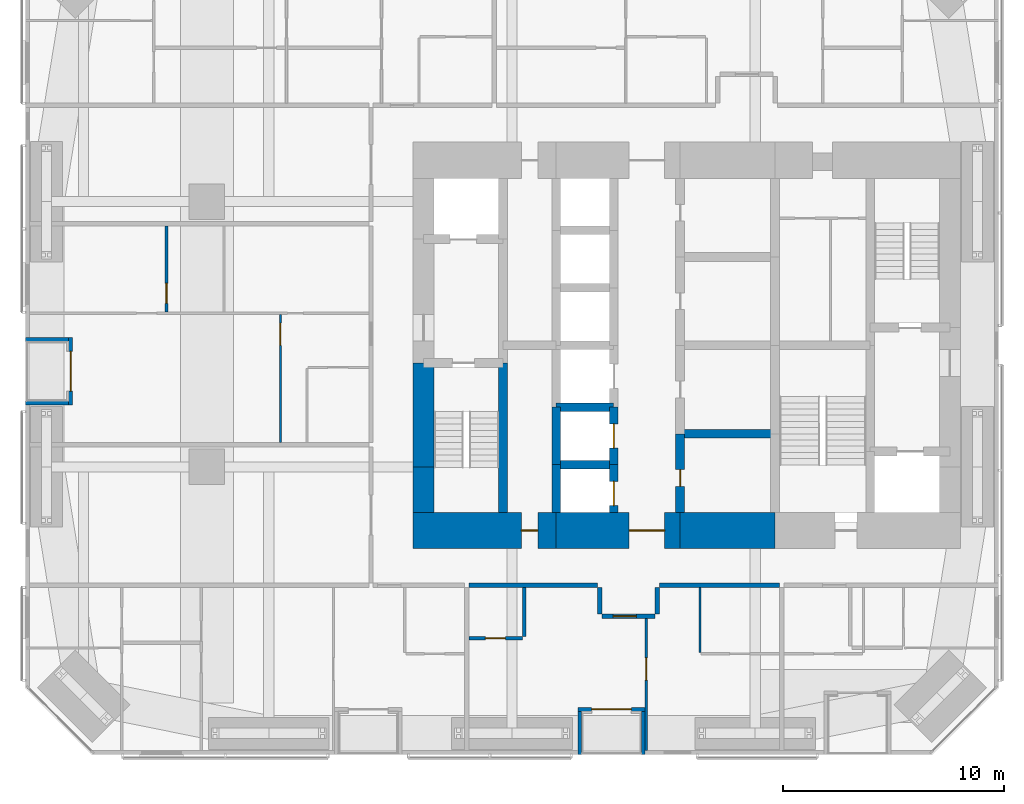
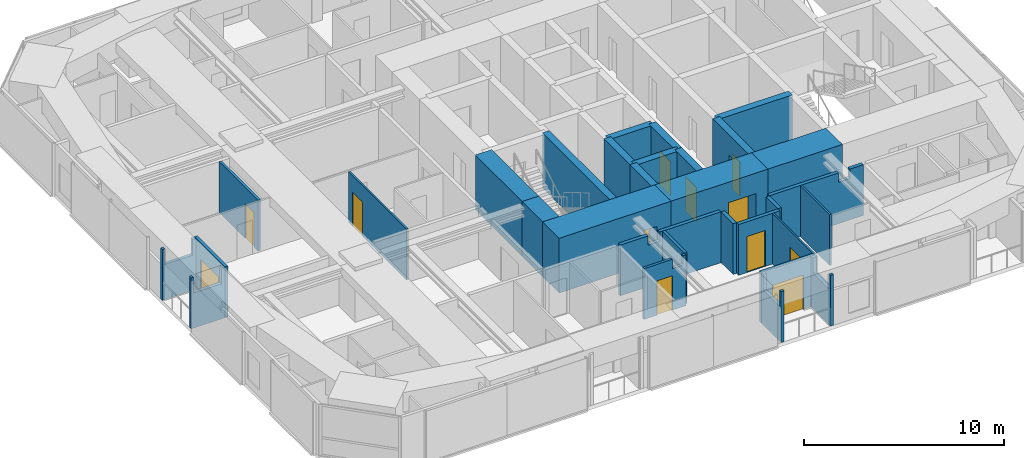
# One storey, part 17 of 23: 31 walls, 12 doors, 12 openings.
"""IFC4 building model written with IfcOpenShell, lengths in metres."""

import ifcopenshell
import ifcopenshell.guid

model = None  # the IFC model being written
_history = None  # IfcOwnerHistory: only IFC2X3 demands one
_inside = {}  # id of a spatial element -> (the spatial element, [elements in it])
_under = {}  # id of a project, library or spatial element -> (it, [spatial elements below it])
_declared = {}  # id of a project -> (the project, [libraries it declares])
_typed = {}  # id of a type object -> (the type object, [elements of that type])
_made_of = {}  # id of a material, layer set ... -> (it, [elements and type objects made of it])


def new_model(schema):
    """Start an empty IFC model of exactly this schema.

    Asked for "IFC4X3", IfcOpenShell would pick the latest addendum, in which some entities
    have other attributes; the version numbers below select the first issue.
    IFC2X3 requires an IfcOwnerHistory on every rooted entity: one is made here for all.
    """
    global model, _history
    if schema == "IFC4X3":
        model = ifcopenshell.file(schema_version=(4, 3, 0, 0))
    else:
        model = ifcopenshell.file(schema=schema)
    _inside.clear()
    _under.clear()
    _declared.clear()
    _typed.clear()
    _made_of.clear()
    _history = None
    if model.schema == "IFC2X3":
        org = make("IfcOrganization", Name="unknown")
        user = make(
            "IfcPersonAndOrganization",
            ThePerson=make("IfcPerson", FamilyName="unknown"),
            TheOrganization=org,
        )
        app = make(
            "IfcApplication",
            ApplicationDeveloper=org,
            Version="unknown",
            ApplicationFullName="unknown",
            ApplicationIdentifier="unknown",
        )
        _history = make(
            "IfcOwnerHistory",
            OwningUser=user,
            OwningApplication=app,
            ChangeAction="ADDED",
            CreationDate=0,
        )
    return model


def make(cls, **values):
    """One entity of the class cls with the attributes given. An attribute that is None is left unset."""
    return model.create_entity(
        cls, **{name: value for name, value in values.items() if value is not None}
    )


def rooted(cls, **values):
    """An entity with a GlobalId (a new one), such as an element, a storey or a relation."""
    return make(cls, GlobalId=ifcopenshell.guid.new(), OwnerHistory=_history, **values)


def si_unit(unit_type, name, prefix=None):
    """IfcSIUnit, for example si_unit("LENGTHUNIT", "METRE", prefix="MILLI")."""
    return make("IfcSIUnit", UnitType=unit_type, Prefix=prefix, Name=name)


def assignment(units):
    """IfcUnitAssignment: the units of a project."""
    return None if units is None else make("IfcUnitAssignment", Units=units)


def point(xyz):
    """IfcCartesianPoint."""
    return None if xyz is None else make("IfcCartesianPoint", Coordinates=xyz)


def direction(xyz):
    """IfcDirection."""
    return None if xyz is None else make("IfcDirection", DirectionRatios=xyz)


def frame(location, z_axis=None, x_axis=None):
    """IfcAxis2Placement3D, a coordinate frame: its origin and axes. An axis left out is left unset."""
    return make(
        "IfcAxis2Placement3D",
        Location=point(location),
        Axis=direction(z_axis),
        RefDirection=direction(x_axis),
    )


def frame_2d(location, x_axis=None):
    """IfcAxis2Placement2D, a coordinate frame in the plane: its origin and x axis."""
    return make(
        "IfcAxis2Placement2D", Location=point(location), RefDirection=direction(x_axis)
    )


def origin():
    """The frame at (0, 0, 0) with its axes left unset."""
    return frame((0.0, 0.0, 0.0))


def place(relative_to, where):
    """IfcLocalPlacement: puts the frame where relative to a parent placement (None: the world)."""
    return make(
        "IfcLocalPlacement", PlacementRelTo=relative_to, RelativePlacement=where
    )


def context(
    kind, dimensions, precision=None, world=None, true_north=None, identifier=None
):
    """IfcGeometricRepresentationContext, for example the 3D "Model" context."""
    return make(
        "IfcGeometricRepresentationContext",
        ContextIdentifier=identifier,
        ContextType=kind,
        CoordinateSpaceDimension=dimensions,
        Precision=precision,
        WorldCoordinateSystem=world,
        TrueNorth=true_north,
    )


def subcontext(parent, identifier, kind, view, scale=None):
    """IfcGeometricRepresentationSubContext, for example "Body" below "Model"."""
    return make(
        "IfcGeometricRepresentationSubContext",
        ContextIdentifier=identifier,
        ContextType=kind,
        ParentContext=parent,
        TargetScale=scale,
        TargetView=view,
    )


def project(units=None, contexts=None):
    """IfcProject with its units and contexts."""
    return rooted(
        "IfcProject",
        Name="project",
        RepresentationContexts=contexts,
        UnitsInContext=assignment(units),
    )


def spatial(cls, under=None, at=None, **own):
    """A site, building, storey or space (cls), placed at a placement, below another one or the project."""
    s = rooted(cls, ObjectPlacement=at, **own)
    if under is not None:
        _under.setdefault(under.id(), (under, []))[1].append(s)
    return s


def polyline(points):
    """IfcPolyline through the points."""
    return make("IfcPolyline", Points=[point(p) for p in points])


def profile(cls, at=None, kind="AREA", **sizes):
    """A parametric profile (cls). Its sizes go by their IFC names, for example OverallWidth=200.0."""
    return make(cls, ProfileType=kind, Position=at, **sizes)


def rectangle(**sizes):
    """IfcRectangleProfileDef."""
    return profile("IfcRectangleProfileDef", **sizes)


def outline(outer, holes=None, kind="AREA"):
    """IfcArbitraryClosedProfileDef: a profile drawn as a closed curve; with holes, ...WithVoids."""
    if holes is None:
        return make("IfcArbitraryClosedProfileDef", ProfileType=kind, OuterCurve=outer)
    return make(
        "IfcArbitraryProfileDefWithVoids",
        ProfileType=kind,
        OuterCurve=outer,
        InnerCurves=holes,
    )


def extrude(swept, where, along, depth):
    """IfcExtrudedAreaSolid: the profile swept, set in the frame where, extruded along a direction by depth."""
    return make(
        "IfcExtrudedAreaSolid",
        SweptArea=swept,
        Position=where,
        ExtrudedDirection=direction(along),
        Depth=depth,
    )


def shape(context_of_items, identifier, shape_type, items):
    """IfcShapeRepresentation: the items that make up one representation, for example the "Body"."""
    return make(
        "IfcShapeRepresentation",
        ContextOfItems=context_of_items,
        RepresentationIdentifier=identifier,
        RepresentationType=shape_type,
        Items=items,
    )


def material(Name=None, Category=None):
    """IfcMaterial."""
    return make("IfcMaterial", Name=Name, Category=Category)


def layer(
    of_material, thickness, ventilated=None, Name=None, Category=None, Priority=None
):
    """IfcMaterialLayer: one layer of a wall or slab, of a material (None: an air gap)."""
    return make(
        "IfcMaterialLayer",
        Material=of_material,
        LayerThickness=thickness,
        IsVentilated=ventilated,
        Name=Name,
        Category=Category,
        Priority=Priority,
    )


def layer_set(layers, Name=None):
    """IfcMaterialLayerSet."""
    return make("IfcMaterialLayerSet", MaterialLayers=layers, LayerSetName=Name)


def constituent(of_material, Name=None, Category=None, fraction=None):
    """IfcMaterialConstituent: one of the materials an element consists of."""
    return make(
        "IfcMaterialConstituent",
        Name=Name,
        Material=of_material,
        Fraction=fraction,
        Category=Category,
    )


def constituent_set(constituents=None, Name=None):
    """IfcMaterialConstituentSet."""
    return make(
        "IfcMaterialConstituentSet", Name=Name, MaterialConstituents=constituents
    )


def made_of(thing, what):
    """Note that an element or type object is made of a material, layer set ...; save() writes the relation."""
    if what is not None:
        _made_of.setdefault(what.id(), (what, []))[1].append(thing)
    return thing


def type_object(cls, material=None, **own):
    """A type object (cls), such as IfcWallType, which elements share."""
    return made_of(rooted(cls, **own), material)


def element(
    cls,
    number,
    at=None,
    inside=None,
    cuts=None,
    type_object=None,
    material=None,
    context=None,
    identifier="Body",
    shape_type=None,
    held_by="IfcProductDefinitionShape",
    body=None,
    shapes=None,
    **own,
):
    """One element of the class cls, such as IfcWall. Its Tag is "e" and its number.

    at: its placement. inside: the storey or other place that contains it. cuts: it is an
    opening in that element (IfcRelVoidsElement). A single representation is given by context,
    identifier, shape_type and body (its items); several are given by shapes. held_by: the class
    of the entity that holds the representations. save() writes the other relations.
    """
    e = rooted(cls, Tag="e%d" % number, ObjectPlacement=at, **own)
    if body is not None:
        shapes = [shape(context, identifier, shape_type, body)]
    if shapes is not None:
        e.Representation = make(held_by, Representations=shapes)
    if inside is not None:
        _inside.setdefault(inside.id(), (inside, []))[1].append(e)
    if cuts is not None:
        rooted(
            "IfcRelVoidsElement", RelatingBuildingElement=cuts, RelatedOpeningElement=e
        )
    if type_object is not None:
        _typed.setdefault(type_object.id(), (type_object, []))[1].append(e)
    return made_of(e, material)


def fill(opening, filler):
    """IfcRelFillsElement: the door or window that sits in an opening."""
    return rooted(
        "IfcRelFillsElement",
        RelatingOpeningElement=opening,
        RelatedBuildingElement=filler,
    )


def aggregate(whole, parts):
    """IfcRelAggregates: a whole, such as a stair, and the parts it consists of."""
    return rooted("IfcRelAggregates", RelatingObject=whole, RelatedObjects=parts)


def save(model, path):
    """Write the relations noted so far, then the file.

    IfcRelAggregates (storeys below a building ...), IfcRelContainedInSpatialStructure (elements
    in a storey), IfcRelDefinesByType, IfcRelAssociatesMaterial and IfcRelDeclares: one each for
    every whole, place, type object, material and project.
    """
    for whole, parts in _under.values():
        aggregate(whole, parts)
    for where, things in _inside.values():
        rooted(
            "IfcRelContainedInSpatialStructure",
            RelatedElements=things,
            RelatingStructure=where,
        )
    for kind, things in _typed.values():
        rooted("IfcRelDefinesByType", RelatedObjects=things, RelatingType=kind)
    for what, things in _made_of.values():
        rooted("IfcRelAssociatesMaterial", RelatedObjects=things, RelatingMaterial=what)
    for by, libraries in _declared.values():
        rooted("IfcRelDeclares", RelatingContext=by, RelatedDefinitions=libraries)
    model.write(path)


model = new_model("IFC4")

# Units and contexts
model_context = context("Model", 3, precision=1e-05, world=origin(), true_north=direction((0.0, 1.0)))
body_context = subcontext(model_context, "Body", "Model", "MODEL_VIEW")
ifc_project = project(units=[si_unit("LENGTHUNIT", "METRE"), si_unit("AREAUNIT", "SQUARE_METRE"), si_unit("VOLUMEUNIT", "CUBIC_METRE"), si_unit("PLANEANGLEUNIT", "RADIAN"), si_unit("MASSUNIT", "GRAM", prefix="KILO")], contexts=[model_context])

# Site, building, storey
site_placement = place(None, origin())
site = spatial("IfcSite", under=ifc_project, at=site_placement, CompositionType="ELEMENT")
building_placement = place(site_placement, origin())
building = spatial("IfcBuilding", under=site, at=building_placement, Name="Jalousie Tower", CompositionType="ELEMENT")
storey_placement = place(building_placement, frame((0.0, 0.0, 37.75)))
storey = spatial("IfcBuildingStorey", under=building, at=storey_placement, Name="L09", CompositionType="ELEMENT", Elevation=37.75)

# Wall, opening, door
ifc_material_1 = material(Name="Concrete block ASTM C90", Category="concrete")
ifc_constituent_1 = constituent(ifc_material_1, Name="Body")
ifc_material_2 = material(Name="Render")
ifc_constituent_2 = constituent(ifc_material_2, Name="Finish")
ifc_constituent_set_1 = constituent_set(constituents=[ifc_constituent_1, ifc_constituent_2])
wall_type_1 = type_object("IfcWallType", Name="BATHROOM WALL 150", PredefinedType="PLUMBINGWALL", material=ifc_constituent_set_1)
wall_1_placement = place(storey_placement, frame((22.050048828125, 5.25, 0.0), z_axis=(0.0, 0.0, 1.0), x_axis=(1.0, 0.0, 0.0)))
wall_1 = element("IfcWall", 1, at=wall_1_placement, inside=storey, type_object=wall_type_1, Name="Bathroom Wall 150 L09", PredefinedType="PLUMBINGWALL", context=body_context, shape_type="SweptSolid", body=[
    extrude(outline(polyline([(0.0, 0.0), (2.425048828125, 0.0), (2.425048828125, 3.110107421875), (2.262451171875, 3.110107421875), (2.262451171875, 2.541015625), (1.6376953125, 2.541015625), (1.6376953125, 3.110107421875), (0.0, 3.110107421875), (0.0, 0.0)])), frame((0.0, 0.074951171875, 0.0), z_axis=(0.0, -1.0, 0.0), x_axis=(1.0, 0.0, 0.0)), (0.0, 0.0, 1.0), 0.14990234375),
])
opening_1_placement = place(wall_1_placement, frame((0.75, 0.0, 0.0)))
opening_1 = element("IfcOpeningElement", 2, at=opening_1_placement, cuts=wall_1, Name="Opening D3", PredefinedType="OPENING", context=body_context, shape_type="SweptSolid", body=[
    extrude(rectangle(XDim=0.89990234375, YDim=2.10009765625, at=frame_2d((0.449951171875, 1.050048828125))), frame((0.0, 0.0849609375, 0.0), z_axis=(0.0, -1.0, 0.0), x_axis=(1.0, 0.0, 0.0)), (0.0, 0.0, 1.0), 0.169921875),
])
ifc_material_3 = material(Name="Timber door", Category="wood")
door_type_1 = type_object("IfcDoorType", Name="BATHROOM DOOR 900", OperationType="SINGLE_SWING_LEFT", PredefinedType="DOOR", material=ifc_material_3)
door_1_placement = place(opening_1_placement, origin())
door_1 = element("IfcDoor", 3, at=door_1_placement, inside=storey, type_object=door_type_1, Name="Apartment 0902 bathroom door", OperationType="SINGLE_SWING_LEFT", OverallHeight=2.10009765625, OverallWidth=0.89990234375, PredefinedType="DOOR", context=body_context, shape_type="SweptSolid", body=[
    extrude(rectangle(XDim=0.89990234375, YDim=2.10009765625, at=frame_2d((0.449951171875, 1.050048828125))), frame((0.0, 0.02490234375, 0.0), z_axis=(0.0, -1.0, 0.0), x_axis=(1.0, 0.0, 0.0)), (0.0, 0.0, 1.0), 0.050048828125),
])
fill(opening_1, door_1)

# Wall
wall_2_placement = place(storey_placement, frame((24.550048828125, 5.324951171875, 0.0), z_axis=(0.0, 0.0, 1.0), x_axis=(0.0, 1.0, 0.0)))
element("IfcWall", 4, at=wall_2_placement, inside=storey, type_object=wall_type_1, Name="Bathroom Wall 150 L09", PredefinedType="PLUMBINGWALL", context=body_context, shape_type="SweptSolid", body=[
    extrude(rectangle(XDim=2.22509765625, YDim=0.14990234375, at=frame_2d((1.112548828125, 0.0))), origin(), (0.0, 0.0, 1.0), 3.110107421875),
])

# Wall, opening, door
wall_3_placement = place(storey_placement, frame((8.375, 20.0, 0.0), z_axis=(0.0, 0.0, 1.0), x_axis=(0.0, 1.0, 0.0)))
wall_3 = element("IfcWall", 5, at=wall_3_placement, inside=storey, type_object=wall_type_1, Name="Bathroom Wall 150 L09", PredefinedType="PLUMBINGWALL", context=body_context, shape_type="SweptSolid", body=[
    extrude(rectangle(XDim=3.89990234375, YDim=0.14990234375, at=frame_2d((1.949951171875, 0.0))), origin(), (0.0, 0.0, 1.0), 3.110107421875),
])
opening_2_placement = place(wall_3_placement, frame((0.39990234375, 0.0, 0.0)))
opening_2 = element("IfcOpeningElement", 6, at=opening_2_placement, cuts=wall_3, Name="Opening D3", PredefinedType="OPENING", context=body_context, shape_type="SweptSolid", body=[
    extrude(rectangle(XDim=0.89990234375, YDim=2.10009765625, at=frame_2d((0.449951171875, 1.050048828125))), frame((0.0, 0.0849609375, 0.0), z_axis=(0.0, -1.0, 0.0), x_axis=(1.0, 0.0, 0.0)), (0.0, 0.0, 1.0), 0.169921875),
])
door_2_placement = place(opening_2_placement, frame((0.89990234375, 0.0, 0.0), z_axis=(0.0, 0.0, 1.0), x_axis=(-1.0, 0.0, 0.0)))
door_2 = element("IfcDoor", 7, at=door_2_placement, inside=storey, type_object=door_type_1, Name="Apartment 0906 bedroom 1 bathroom door", OperationType="SINGLE_SWING_RIGHT", OverallHeight=2.10009765625, OverallWidth=0.89990234375, PredefinedType="DOOR", context=body_context, shape_type="SweptSolid", body=[
    extrude(rectangle(XDim=0.89990234375, YDim=2.10009765625, at=frame_2d((0.449951171875, 1.050048828125))), frame((0.0, 0.02490234375, 0.0), z_axis=(0.0, -1.0, 0.0), x_axis=(1.0, 0.0, 0.0)), (0.0, 0.0, 1.0), 0.050048828125),
])
fill(opening_2, door_2)

ifc_material_4 = material(Name="Concrete f'c 120 MPa", Category="concrete")
ifc_layer_1 = layer(ifc_material_4, 1.64990234375)
ifc_layer_set_1 = layer_set([ifc_layer_1], Name="Concrete f'c 120 MPa")
wall_type_2 = type_object("IfcWallType", Name="CORE WALL 1650", PredefinedType="SHEAR", material=ifc_layer_set_1)
wall_4_placement = place(storey_placement, frame((19.52490234375, 10.125, 0.0), z_axis=(0.0, 0.0, 1.0), x_axis=(1.0, 0.0, 0.0)))
wall_4 = element("IfcWall", 8, at=wall_4_placement, inside=storey, type_object=wall_type_2, Name="Core wall SA L09", PredefinedType="SHEAR", context=body_context, shape_type="SweptSolid", body=[
    extrude(rectangle(XDim=6.47509765625, YDim=1.64990234375, at=frame_2d((3.237548828125, 0.0))), origin(), (0.0, 0.0, 1.0), 3.35009765625),
])
opening_3_placement = place(wall_4_placement, frame((4.89990234375, 0.0, 0.0)))
opening_3 = element("IfcOpeningElement", 9, at=opening_3_placement, cuts=wall_4, Name="Opening D16", PredefinedType="OPENING", context=body_context, shape_type="SweptSolid", body=[
    extrude(rectangle(XDim=0.75, YDim=2.10009765625, at=frame_2d((0.375, 1.050048828125))), frame((0.0, 0.8349609375, 0.0), z_axis=(0.0, -1.0, 0.0), x_axis=(1.0, 0.0, 0.0)), (0.0, 0.0, 1.0), 1.669921875),
])
ifc_material_5 = material(Name="Steel fire door", Category="steel")
door_type_2 = type_object("IfcDoorType", Name="RISER DOOR 750", OperationType="SINGLE_SWING_LEFT", PredefinedType="DOOR", material=ifc_material_5)
door_3_placement = place(opening_3_placement, origin())
door_3 = element("IfcDoor", 10, at=door_3_placement, inside=storey, type_object=door_type_2, Name="South riser door", OperationType="SINGLE_SWING_LEFT", OverallHeight=2.10009765625, OverallWidth=0.75, PredefinedType="DOOR", context=body_context, shape_type="SweptSolid", body=[
    extrude(rectangle(XDim=0.75, YDim=2.10009765625, at=frame_2d((0.375, 1.050048828125))), frame((0.0, 0.02490234375, 0.0), z_axis=(0.0, -1.0, 0.0), x_axis=(1.0, 0.0, 0.0)), (0.0, 0.0, 1.0), 0.050048828125),
])
fill(opening_3, door_3)

wall_5_placement = place(storey_placement, frame((26.0, 10.125, 0.0), z_axis=(0.0, 0.0, 1.0), x_axis=(1.0, 0.0, 0.0)))
wall_5 = element("IfcWall", 11, at=wall_5_placement, inside=storey, type_object=wall_type_2, Name="Core wall SB L09", PredefinedType="SHEAR", context=body_context, shape_type="SweptSolid", body=[
    extrude(rectangle(XDim=5.60009765625, YDim=1.64990234375, at=frame_2d((2.800048828125, 0.0))), origin(), (0.0, 0.0, 1.0), 3.35009765625),
])
opening_4_placement = place(wall_5_placement, frame((3.300048828125, 0.0, 0.0)))
opening_4 = element("IfcOpeningElement", 12, at=opening_4_placement, cuts=wall_5, Name="Opening D15", PredefinedType="OPENING", context=body_context, shape_type="SweptSolid", body=[
    extrude(rectangle(XDim=1.60009765625, YDim=2.10009765625, at=frame_2d((0.800048828125, 1.050048828125))), frame((0.0, 0.8349609375, 0.0), z_axis=(0.0, -1.0, 0.0), x_axis=(1.0, 0.0, 0.0)), (0.0, 0.0, 1.0), 1.669921875),
])
ifc_material_6 = material(Name="Steel fire door", Category="steel")
door_type_3 = type_object("IfcDoorType", Name="LIFT LOBBY DOOR 1600", OperationType="DOUBLE_DOOR_SINGLE_SWING", PredefinedType="DOOR", material=ifc_material_6)
door_4_placement = place(opening_4_placement, origin())
door_4 = element("IfcDoor", 13, at=door_4_placement, inside=storey, type_object=door_type_3, Name="Lift lobby south door", OperationType="DOUBLE_DOOR_SINGLE_SWING", OverallHeight=2.10009765625, OverallWidth=1.60009765625, PredefinedType="DOOR", context=body_context, shape_type="SweptSolid", body=[
    extrude(rectangle(XDim=1.60009765625, YDim=2.10009765625, at=frame_2d((0.800048828125, 1.050048828125))), frame((0.0, 0.02490234375, 0.0), z_axis=(0.0, -1.0, 0.0), x_axis=(1.0, 0.0, 0.0)), (0.0, 0.0, 1.0), 0.050048828125),
])
fill(opening_4, door_4)

# Walls
wall_6_placement = place(storey_placement, frame((31.60009765625, 10.125, 0.0), z_axis=(0.0, 0.0, 1.0), x_axis=(1.0, 0.0, 0.0)))
element("IfcWall", 14, at=wall_6_placement, inside=storey, type_object=wall_type_2, Name="Core wall SC L09", PredefinedType="SHEAR", context=body_context, shape_type="SweptSolid", body=[
    extrude(rectangle(XDim=4.2998046875, YDim=1.64990234375, at=frame_2d((2.14990234375, 0.0))), origin(), (0.0, 0.0, 1.0), 3.35009765625),
])
ifc_material_7 = material(Name="Concrete f'c 120 MPa", Category="concrete")
ifc_layer_2 = layer(ifc_material_7, 0.39990234375)
ifc_layer_set_2 = layer_set([ifc_layer_2], Name="Concrete f'c 120 MPa")
wall_type_3 = type_object("IfcWallType", Name="CORE WALL 400", PredefinedType="SHEAR", material=ifc_layer_set_2)
wall_7_placement = place(storey_placement, frame((23.60009765625, 10.949951171875, 0.0), z_axis=(0.0, 0.0, 1.0), x_axis=(0.0, 1.0, 0.0)))
element("IfcWall", 15, at=wall_7_placement, inside=storey, type_object=wall_type_3, Name="Core wall X23.6A L09", PredefinedType="SHEAR", context=body_context, shape_type="SweptSolid", body=[
    extrude(rectangle(XDim=6.75, YDim=0.39990234375, at=frame_2d((3.375, 0.0))), origin(), (0.0, 0.0, 1.0), 3.35009765625),
])
wall_8_placement = place(storey_placement, frame((26.0, 10.949951171875, 0.0), z_axis=(0.0, 0.0, 1.0), x_axis=(0.0, 1.0, 0.0)))
element("IfcWall", 16, at=wall_8_placement, inside=storey, type_object=wall_type_3, Name="Core wall X26A L09", PredefinedType="SHEAR", context=body_context, shape_type="SweptSolid", body=[
    extrude(rectangle(XDim=2.150146484375, YDim=0.39990234375, at=frame_2d((1.0751953125, 0.0))), origin(), (0.0, 0.0, 1.0), 3.35009765625),
])
wall_9_placement = place(storey_placement, frame((26.0, 13.10009765625, 0.0), z_axis=(0.0, 0.0, 1.0), x_axis=(0.0, 1.0, 0.0)))
element("IfcWall", 17, at=wall_9_placement, inside=storey, type_object=wall_type_3, Name="Core wall X26B L09", PredefinedType="SHEAR", context=body_context, shape_type="SweptSolid", body=[
    extrude(rectangle(XDim=2.599853515625, YDim=0.39990234375, at=frame_2d((1.2998046875, 0.0))), origin(), (0.0, 0.0, 1.0), 3.35009765625),
])

# Wall, opening, door
wall_10_placement = place(storey_placement, frame((28.60009765625, 10.949951171875, 0.0), z_axis=(0.0, 0.0, 1.0), x_axis=(0.0, 1.0, 0.0)))
wall_10 = element("IfcWall", 18, at=wall_10_placement, inside=storey, type_object=wall_type_3, Name="Core wall X28.6A L09", PredefinedType="SHEAR", context=body_context, shape_type="SweptSolid", body=[
    extrude(rectangle(XDim=2.150146484375, YDim=0.39990234375, at=frame_2d((1.0751953125, 0.0))), origin(), (0.0, 0.0, 1.0), 3.35009765625),
])
opening_5_placement = place(wall_10_placement, frame((0.300048828125, 0.0, 0.0)))
opening_5 = element("IfcOpeningElement", 19, at=opening_5_placement, cuts=wall_10, Name="Opening LD1", PredefinedType="OPENING", context=body_context, shape_type="SweptSolid", body=[
    extrude(rectangle(XDim=1.10009765625, YDim=2.10009765625, at=frame_2d((0.550048828125, 1.050048828125))), frame((0.0, 0.2099609375, 0.0), z_axis=(0.0, -1.0, 0.0), x_axis=(1.0, 0.0, 0.0)), (0.0, 0.0, 1.0), 0.419921875),
])
ifc_material_8 = material(Name="Steel lift landing door", Category="steel")
door_type_4 = type_object("IfcDoorType", Name="LIFT LANDING DOOR 1100", OperationType="SLIDING_TO_LEFT", PredefinedType="DOOR", material=ifc_material_8)
door_5_placement = place(opening_5_placement, origin())
door_5 = element("IfcDoor", 20, at=door_5_placement, inside=storey, type_object=door_type_4, Name="Lift P1 landing door", OperationType="SLIDING_TO_LEFT", OverallHeight=2.10009765625, OverallWidth=1.10009765625, PredefinedType="DOOR", context=body_context, shape_type="SweptSolid", body=[
    extrude(rectangle(XDim=1.10009765625, YDim=2.10009765625, at=frame_2d((0.550048828125, 1.050048828125))), frame((0.0, 0.02490234375, 0.0), z_axis=(0.0, -1.0, 0.0), x_axis=(1.0, 0.0, 0.0)), (0.0, 0.0, 1.0), 0.050048828125),
])
fill(opening_5, door_5)

wall_11_placement = place(storey_placement, frame((28.60009765625, 13.10009765625, 0.0), z_axis=(0.0, 0.0, 1.0), x_axis=(0.0, 1.0, 0.0)))
wall_11 = element("IfcWall", 21, at=wall_11_placement, inside=storey, type_object=wall_type_3, Name="Core wall X28.6B L09", PredefinedType="SHEAR", context=body_context, shape_type="SweptSolid", body=[
    extrude(rectangle(XDim=2.599853515625, YDim=0.39990234375, at=frame_2d((1.2998046875, 0.0))), origin(), (0.0, 0.0, 1.0), 3.35009765625),
])
opening_6_placement = place(wall_11_placement, frame((0.75, 0.0, 0.0)))
opening_6 = element("IfcOpeningElement", 22, at=opening_6_placement, cuts=wall_11, Name="Opening LD1", PredefinedType="OPENING", context=body_context, shape_type="SweptSolid", body=[
    extrude(rectangle(XDim=1.10009765625, YDim=2.10009765625, at=frame_2d((0.550048828125, 1.050048828125))), frame((0.0, 0.2099609375, 0.0), z_axis=(0.0, -1.0, 0.0), x_axis=(1.0, 0.0, 0.0)), (0.0, 0.0, 1.0), 0.419921875),
])
door_6_placement = place(opening_6_placement, origin())
door_6 = element("IfcDoor", 23, at=door_6_placement, inside=storey, type_object=door_type_4, Name="Lift P2 landing door", OperationType="SLIDING_TO_LEFT", OverallHeight=2.10009765625, OverallWidth=1.10009765625, PredefinedType="DOOR", context=body_context, shape_type="SweptSolid", body=[
    extrude(rectangle(XDim=1.10009765625, YDim=2.10009765625, at=frame_2d((0.550048828125, 1.050048828125))), frame((0.0, 0.02490234375, 0.0), z_axis=(0.0, -1.0, 0.0), x_axis=(1.0, 0.0, 0.0)), (0.0, 0.0, 1.0), 0.050048828125),
])
fill(opening_6, door_6)

wall_12_placement = place(storey_placement, frame((31.60009765625, 10.949951171875, 0.0), z_axis=(0.0, 0.0, 1.0), x_axis=(0.0, 1.0, 0.0)))
wall_12 = element("IfcWall", 24, at=wall_12_placement, inside=storey, type_object=wall_type_3, Name="Core wall X31.6A L09", PredefinedType="SHEAR", context=body_context, shape_type="SweptSolid", body=[
    extrude(rectangle(XDim=3.550048828125, YDim=0.39990234375, at=frame_2d((1.77490234375, 0.0))), origin(), (0.0, 0.0, 1.0), 3.35009765625),
])
opening_7_placement = place(wall_12_placement, frame((1.175048828125, 0.0, 0.0)))
opening_7 = element("IfcOpeningElement", 25, at=opening_7_placement, cuts=wall_12, Name="Opening D16", PredefinedType="OPENING", context=body_context, shape_type="SweptSolid", body=[
    extrude(rectangle(XDim=0.75, YDim=2.10009765625, at=frame_2d((0.375, 1.050048828125))), frame((0.0, 0.2099609375, 0.0), z_axis=(0.0, -1.0, 0.0), x_axis=(1.0, 0.0, 0.0)), (0.0, 0.0, 1.0), 0.419921875),
])
door_7_placement = place(opening_7_placement, frame((0.75, 0.0, 0.0), z_axis=(0.0, 0.0, 1.0), x_axis=(-1.0, 0.0, 0.0)))
door_7 = element("IfcDoor", 26, at=door_7_placement, inside=storey, type_object=door_type_2, Name="Refuse Room door", OperationType="SINGLE_SWING_RIGHT", OverallHeight=2.10009765625, OverallWidth=0.75, PredefinedType="DOOR", context=body_context, shape_type="SweptSolid", body=[
    extrude(rectangle(XDim=0.75, YDim=2.10009765625, at=frame_2d((0.375, 1.050048828125))), frame((0.0, 0.02490234375, 0.0), z_axis=(0.0, -1.0, 0.0), x_axis=(1.0, 0.0, 0.0)), (0.0, 0.0, 1.0), 0.050048828125),
])
fill(opening_7, door_7)

# Walls
for number, where, z_axis, x_axis, name in (
    (27, (26.0, 13.10009765625, 0.0), (0.0, 0.0, 1.0), (1.0, 0.0, 0.0), "Core wall Y26-13.1 L09"),
    (28, (26.0, 15.699951171875, 0.0), (0.0, 0.0, 1.0), (1.0, 0.0, 0.0), "Core wall Y26-15.7 L09"),
):
    element("IfcWall", number, at=place(storey_placement, frame(where, z_axis=z_axis, x_axis=x_axis)), inside=storey, type_object=wall_type_3, Name=name, PredefinedType="SHEAR", context=body_context, shape_type="SweptSolid", body=[
        extrude(rectangle(XDim=2.60009765625, YDim=0.39990234375, at=frame_2d((1.300048828125, 0.0))), origin(), (0.0, 0.0, 1.0), 3.35009765625),
    ])
wall_13_placement = place(storey_placement, frame((31.60009765625, 14.5, 0.0), z_axis=(0.0, 0.0, 1.0), x_axis=(1.0, 0.0, 0.0)))
element("IfcWall", 29, at=wall_13_placement, inside=storey, type_object=wall_type_3, Name="Core wall Y31.6-14.5 L09", PredefinedType="SHEAR", context=body_context, shape_type="SweptSolid", body=[
    extrude(rectangle(XDim=4.2998046875, YDim=0.39990234375, at=frame_2d((2.14990234375, 0.0))), origin(), (0.0, 0.0, 1.0), 3.35009765625),
])
ifc_material_9 = material(Name="Concrete f'c 120 MPa", Category="concrete")
ifc_layer_3 = layer(ifc_material_9, 0.949951171875)
ifc_layer_set_3 = layer_set([ifc_layer_3], Name="Concrete f'c 120 MPa")
wall_type_4 = type_object("IfcWallType", Name="CORE WALL 950", PredefinedType="SHEAR", material=ifc_layer_set_3)
wall_14_placement = place(storey_placement, frame((20.0, 17.699951171875, 0.0), z_axis=(0.0, 0.0, 1.0), x_axis=(0.0, -1.0, 0.0)))
element("IfcWall", 30, at=wall_14_placement, inside=storey, type_object=wall_type_4, Name="Core wall WC L09", PredefinedType="SHEAR", context=body_context, shape_type="SweptSolid", body=[
    extrude(rectangle(XDim=4.699951171875, YDim=0.949951171875, at=frame_2d((2.35009765625, 0.0))), origin(), (0.0, 0.0, 1.0), 3.35009765625),
])
wall_15_placement = place(storey_placement, frame((20.0, 13.0, 0.0), z_axis=(0.0, 0.0, 1.0), x_axis=(0.0, -1.0, 0.0)))
element("IfcWall", 31, at=wall_15_placement, inside=storey, type_object=wall_type_4, Name="Core wall WD L09", PredefinedType="SHEAR", context=body_context, shape_type="SweptSolid", body=[
    extrude(rectangle(XDim=2.050048828125, YDim=0.949951171875, at=frame_2d((1.02490234375, 0.0))), origin(), (0.0, 0.0, 1.0), 3.35009765625),
])
ifc_material_10 = material(Name="Concrete block ASTM C90", Category="concrete")
ifc_constituent_3 = constituent(ifc_material_10, Name="Body")
ifc_material_11 = material(Name="Render")
ifc_constituent_4 = constituent(ifc_material_11, Name="Finish")
ifc_constituent_set_2 = constituent_set(constituents=[ifc_constituent_3, ifc_constituent_4])
wall_type_5 = type_object("IfcWallType", Name="CORRIDOR WALL 200", PredefinedType="PARTITIONING", material=ifc_constituent_set_2)
wall_16_placement = place(storey_placement, frame((22.050048828125, 7.64990234375, 0.0), z_axis=(0.0, 0.0, 1.0), x_axis=(1.0, 0.0, 0.0)))
element("IfcWall", 32, at=wall_16_placement, inside=storey, type_object=wall_type_5, Name="Corridor Wall 200 L09", PredefinedType="PARTITIONING", context=body_context, shape_type="SweptSolid", body=[
    extrude(outline(polyline([(0.0, 0.0), (5.824951171875, 0.0), (5.824951171875, 3.110107421875), (2.287353515625, 3.110107421875), (2.287353515625, 2.541015625), (1.612548828125, 2.541015625), (1.612548828125, 3.110107421875), (0.0, 3.110107421875), (0.0, 0.0)])), frame((0.0, 0.10009765625, 0.0), z_axis=(0.0, -1.0, 0.0), x_axis=(1.0, 0.0, 0.0)), (0.0, 0.0, 1.0), 0.199951171875),
])
wall_17_placement = place(storey_placement, frame((30.675048828125, 7.64990234375, 0.0), z_axis=(0.0, 0.0, 1.0), x_axis=(1.0, 0.0, 0.0)))
element("IfcWall", 33, at=wall_17_placement, inside=storey, type_object=wall_type_5, Name="Corridor Wall 200 L09", PredefinedType="PARTITIONING", context=body_context, shape_type="SweptSolid", body=[
    extrude(outline(polyline([(0.0, 0.0), (5.425048828125, 0.0), (5.425048828125, 3.110107421875), (4.662353515625, 3.110107421875), (4.662353515625, 2.541015625), (3.987548828125, 2.541015625), (3.987548828125, 3.110107421875), (0.0, 3.110107421875), (0.0, 0.0)])), frame((0.0, 0.10009765625, 0.0), z_axis=(0.0, -1.0, 0.0), x_axis=(1.0, 0.0, 0.0)), (0.0, 0.0, 1.0), 0.199951171875),
])

# Wall, opening, door
wall_18_placement = place(storey_placement, frame((28.074951171875, 6.25, 0.0), z_axis=(0.0, 0.0, 1.0), x_axis=(1.0, 0.0, 0.0)))
wall_18 = element("IfcWall", 34, at=wall_18_placement, inside=storey, type_object=wall_type_5, Name="Corridor Wall 200 L09", PredefinedType="PARTITIONING", context=body_context, shape_type="SweptSolid", body=[
    extrude(rectangle(XDim=2.400146484375, YDim=0.199951171875, at=frame_2d((1.2001953125, 0.0))), origin(), (0.0, 0.0, 1.0), 3.110107421875),
])
opening_8_placement = place(wall_18_placement, frame((0.5, 0.0, 0.0)))
opening_8 = element("IfcOpeningElement", 35, at=opening_8_placement, cuts=wall_18, Name="Opening D1", PredefinedType="OPENING", context=body_context, shape_type="SweptSolid", body=[
    extrude(rectangle(XDim=1.050048828125, YDim=2.199951171875, at=frame_2d((0.52490234375, 1.10009765625))), frame((0.0, 0.10986328125, 0.0), z_axis=(0.0, -1.0, 0.0), x_axis=(1.0, 0.0, 0.0)), (0.0, 0.0, 1.0), 0.219970703125),
])
ifc_material_12 = material(Name="Timber fire door", Category="wood")
door_type_5 = type_object("IfcDoorType", Name="APARTMENT ENTRANCE DOOR 1050", OperationType="SINGLE_SWING_LEFT", PredefinedType="DOOR", material=ifc_material_12)
door_8_placement = place(opening_8_placement, frame((1.050048828125, 0.0, 0.0), z_axis=(0.0, 0.0, 1.0), x_axis=(-1.0, 0.0, 0.0)))
door_8 = element("IfcDoor", 36, at=door_8_placement, inside=storey, type_object=door_type_5, Name="Apartment 0902 entrance", OperationType="SINGLE_SWING_LEFT", OverallHeight=2.199951171875, OverallWidth=1.050048828125, PredefinedType="DOOR", context=body_context, shape_type="SweptSolid", body=[
    extrude(rectangle(XDim=1.050048828125, YDim=2.199951171875, at=frame_2d((0.52490234375, 1.10009765625))), frame((0.0, 0.02490234375, 0.0), z_axis=(0.0, -1.0, 0.0), x_axis=(1.0, 0.0, 0.0)), (0.0, 0.0, 1.0), 0.050048828125),
])
fill(opening_8, door_8)

# Walls
for number, where, z_axis, x_axis, name in (
    (37, (27.97509765625, 7.550048828125, 0.0), (0.0, 0.0, 1.0), (0.0, -1.0, 0.0), "Corridor Wall 200 L09"),
    (38, (30.574951171875, 7.550048828125, 0.0), (0.0, 0.0, 1.0), (0.0, -1.0, 0.0), "Corridor Wall 200 L09"),
):
    element("IfcWall", number, at=place(storey_placement, frame(where, z_axis=z_axis, x_axis=x_axis)), inside=storey, type_object=wall_type_5, Name=name, PredefinedType="PARTITIONING", context=body_context, shape_type="SweptSolid", body=[
        extrude(rectangle(XDim=1.199951171875, YDim=0.199951171875, at=frame_2d((0.60009765625, 0.0))), origin(), (0.0, 0.0, 1.0), 3.110107421875),
    ])

# Wall, opening, door
ifc_material_13 = material(Name="Concrete f'c 40 MPa", Category="concrete")
ifc_constituent_5 = constituent(ifc_material_13, Name="Body")
ifc_material_14 = material(Name="Render, pastel coral")
ifc_constituent_6 = constituent(ifc_material_14, Name="Finish")
ifc_constituent_set_3 = constituent_set(constituents=[ifc_constituent_5, ifc_constituent_6])
wall_type_6 = type_object("IfcWallType", Name="EXTERNAL WALL 175 CORAL RENDER", PredefinedType="SOLIDWALL", material=ifc_constituent_set_3)
wall_19_placement = place(storey_placement, frame((26.97509765625, 2.03759765625, 0.0), z_axis=(0.0, 0.0, 1.0), x_axis=(1.0, 0.0, 0.0)))
wall_19 = element("IfcWall", 39, at=wall_19_placement, inside=storey, type_object=wall_type_6, Name="External Wall 175 Coral Render L09", PredefinedType="SOLIDWALL", context=body_context, shape_type="SweptSolid", body=[
    extrude(rectangle(XDim=3.0498046875, YDim=0.175048828125, at=frame_2d((1.52490234375, 0.0))), origin(), (0.0, 0.0, 1.0), 3.110107421875),
])
opening_9_placement = place(wall_19_placement, frame((0.625, 0.0, 0.0)))
opening_9 = element("IfcOpeningElement", 40, at=opening_9_placement, cuts=wall_19, Name="Opening D-BAL21", PredefinedType="OPENING", context=body_context, shape_type="SweptSolid", body=[
    extrude(rectangle(XDim=1.800048828125, YDim=2.10009765625, at=frame_2d((0.89990234375, 1.050048828125))), frame((0.0, 0.097412109375, 0.0), z_axis=(0.0, -1.0, 0.0), x_axis=(1.0, 0.0, 0.0)), (0.0, 0.0, 1.0), 0.195068359375),
])
ifc_material_15 = material(Name="Aluminium frame, impact-rated glazing", Category="aluminium")
door_type_6 = type_object("IfcDoorType", Name="BALCONY DOOR 1800x2100", OperationType="SLIDING_TO_LEFT", PredefinedType="DOOR", material=ifc_material_15)
door_9_placement = place(opening_9_placement, origin())
door_9 = element("IfcDoor", 41, at=door_9_placement, inside=storey, type_object=door_type_6, Name="Apartment 0902 studio living and sleeping room loggia door", OperationType="SLIDING_TO_LEFT", OverallHeight=2.10009765625, OverallWidth=1.800048828125, PredefinedType="DOOR", context=body_context, shape_type="SweptSolid", body=[
    extrude(rectangle(XDim=1.800048828125, YDim=2.10009765625, at=frame_2d((0.89990234375, 1.050048828125))), frame((0.0, 0.02490234375, 0.0), z_axis=(0.0, -1.0, 0.0), x_axis=(1.0, 0.0, 0.0)), (0.0, 0.0, 1.0), 0.050048828125),
])
fill(opening_9, door_9)

# Walls
for number, where, z_axis, x_axis, name in (
    (42, (27.0625, 0.0, 0.0), (0.0, 0.0, 1.0), (0.0, 1.0, 0.0), "External Wall 175 Coral Render L09"),
    (43, (29.9375, 0.0, 0.0), (0.0, 0.0, 1.0), (0.0, 1.0, 0.0), "External Wall 175 Coral Render L09"),
):
    element("IfcWall", number, at=place(storey_placement, frame(where, z_axis=z_axis, x_axis=x_axis)), inside=storey, type_object=wall_type_6, Name=name, PredefinedType="SOLIDWALL", context=body_context, shape_type="SweptSolid", body=[
        extrude(outline(polyline([(0.0, 0.0), (1.949951171875, 0.0), (1.949951171875, 3.110107421875), (1.75, 3.110107421875), (1.75, 2.14990234375), (0.14990234375, 2.14990234375), (0.14990234375, 3.110107421875), (0.0, 3.110107421875), (0.0, 0.0)])), frame((0.0, 0.08740234375, 0.0), z_axis=(0.0, -1.0, 0.0), x_axis=(1.0, 0.0, 0.0)), (0.0, 0.0, 1.0), 0.175048828125),
    ])

# Wall, opening, door
wall_20_placement = place(storey_placement, frame((4.03759765625, 18.85009765625, 0.0), z_axis=(0.0, 0.0, 1.0), x_axis=(0.0, -1.0, 0.0)))
wall_20 = element("IfcWall", 44, at=wall_20_placement, inside=storey, type_object=wall_type_6, Name="External Wall 175 Coral Render L09", PredefinedType="SOLIDWALL", context=body_context, shape_type="SweptSolid", body=[
    extrude(rectangle(XDim=3.050048828125, YDim=0.175048828125, at=frame_2d((1.52490234375, 0.0))), origin(), (0.0, 0.0, 1.0), 3.110107421875),
])
opening_10_placement = place(wall_20_placement, frame((0.625, 0.0, 0.0)))
opening_10 = element("IfcOpeningElement", 45, at=opening_10_placement, cuts=wall_20, Name="Opening D-BAL21", PredefinedType="OPENING", context=body_context, shape_type="SweptSolid", body=[
    extrude(rectangle(XDim=1.800048828125, YDim=2.10009765625, at=frame_2d((0.89990234375, 1.050048828125))), frame((0.0, 0.097412109375, 0.0), z_axis=(0.0, -1.0, 0.0), x_axis=(1.0, 0.0, 0.0)), (0.0, 0.0, 1.0), 0.195068359375),
])
door_10_placement = place(opening_10_placement, origin())
door_10 = element("IfcDoor", 46, at=door_10_placement, inside=storey, type_object=door_type_6, Name="Apartment 0906 living room loggia door", OperationType="SLIDING_TO_LEFT", OverallHeight=2.10009765625, OverallWidth=1.800048828125, PredefinedType="DOOR", context=body_context, shape_type="SweptSolid", body=[
    extrude(rectangle(XDim=1.800048828125, YDim=2.10009765625, at=frame_2d((0.89990234375, 1.050048828125))), frame((0.0, 0.02490234375, 0.0), z_axis=(0.0, -1.0, 0.0), x_axis=(1.0, 0.0, 0.0)), (0.0, 0.0, 1.0), 0.050048828125),
])
fill(opening_10, door_10)

# Walls
for number, where, z_axis, x_axis, name in (
    (47, (2.0, 18.762451171875, 0.0), (0.0, 0.0, 1.0), (1.0, 0.0, 0.0), "External Wall 175 Coral Render L09"),
    (48, (2.0, 15.887451171875, 0.0), (0.0, 0.0, 1.0), (1.0, 0.0, 0.0), "External Wall 175 Coral Render L09"),
):
    element("IfcWall", number, at=place(storey_placement, frame(where, z_axis=z_axis, x_axis=x_axis)), inside=storey, type_object=wall_type_6, Name=name, PredefinedType="SOLIDWALL", context=body_context, shape_type="SweptSolid", body=[
        extrude(outline(polyline([(0.0, 0.0), (1.949951171875, 0.0), (1.949951171875, 3.110107421875), (1.75, 3.110107421875), (1.75, 2.14990234375), (0.14990234375, 2.14990234375), (0.14990234375, 3.110107421875), (0.0, 3.110107421875), (0.0, 0.0)])), frame((0.0, 0.08740234375, 0.0), z_axis=(0.0, -1.0, 0.0), x_axis=(1.0, 0.0, 0.0)), (0.0, 0.0, 1.0), 0.175048828125),
    ])
ifc_material_16 = material(Name="Gypsum board", Category="gypsum")
ifc_constituent_7 = constituent(ifc_material_16, Name="Body")
ifc_material_17 = material(Name="Light-gauge steel studs ASTM A653 SS Grade 33", Category="steel")
ifc_constituent_8 = constituent(ifc_material_17, Name="Framing")
ifc_constituent_set_4 = constituent_set(constituents=[ifc_constituent_7, ifc_constituent_8])
wall_type_7 = type_object("IfcWallType", Name="PARTITION 100", PredefinedType="PARTITIONING", material=ifc_constituent_set_4)
wall_21_placement = place(storey_placement, frame((32.5, 4.60009765625, 0.0), z_axis=(0.0, 0.0, 1.0), x_axis=(0.0, 1.0, 0.0)))
element("IfcWall", 49, at=wall_21_placement, inside=storey, type_object=wall_type_7, Name="Partition 100 L09", PredefinedType="PARTITIONING", context=body_context, shape_type="SweptSolid", body=[
    extrude(rectangle(XDim=2.949951171875, YDim=0.10009765625, at=frame_2d((1.47509765625, 0.0))), origin(), (0.0, 0.0, 1.0), 3.110107421875),
])

# Wall, opening, door
wall_22_placement = place(storey_placement, frame((30.074951171875, 0.175048828125, 0.0), z_axis=(0.0, 0.0, 1.0), x_axis=(0.0, 1.0, 0.0)))
wall_22 = element("IfcWall", 50, at=wall_22_placement, inside=storey, type_object=wall_type_7, Name="Partition 100 L09", PredefinedType="PARTITIONING", context=body_context, shape_type="SweptSolid", body=[
    extrude(outline(polyline([(0.0, 0.0), (5.974853515625, 0.0), (5.97509765625, 3.110107421875), (1.635009765625, 3.110107421875), (1.635009765625, 2.14990234375), (0.0, 2.14990234375), (0.0, 3.110107421875), (0.0, 0.0)])), frame((0.0, 0.050048828125, 0.0), z_axis=(0.0, -1.0, 0.0), x_axis=(1.0, 0.0, 0.0)), (0.0, 0.0, 1.0), 0.10009765625),
])
opening_11_placement = place(wall_22_placement, frame((3.1875, 0.0, 0.0)))
opening_11 = element("IfcOpeningElement", 51, at=opening_11_placement, cuts=wall_22, Name="Opening D6", PredefinedType="OPENING", context=body_context, shape_type="SweptSolid", body=[
    extrude(rectangle(XDim=1.0, YDim=2.10009765625, at=frame_2d((0.5, 1.050048828125))), frame((0.0, 0.06005859375, 0.0), z_axis=(0.0, -1.0, 0.0), x_axis=(1.0, 0.0, 0.0)), (0.0, 0.0, 1.0), 0.1201171875),
])
ifc_material_18 = material(Name="Timber door", Category="wood")
door_type_7 = type_object("IfcDoorType", Name="INTERNAL DOOR 1000", OperationType="SINGLE_SWING_LEFT", PredefinedType="DOOR", material=ifc_material_18)
door_11_placement = place(opening_11_placement, frame((1.0, 0.0, 0.0), z_axis=(0.0, 0.0, 1.0), x_axis=(-1.0, 0.0, 0.0)))
door_11 = element("IfcDoor", 52, at=door_11_placement, inside=storey, type_object=door_type_7, Name="Apartment 0902 dining room door", OperationType="SINGLE_SWING_LEFT", OverallHeight=2.10009765625, OverallWidth=1.0, PredefinedType="DOOR", context=body_context, shape_type="SweptSolid", body=[
    extrude(rectangle(XDim=1.0, YDim=2.10009765625, at=frame_2d((0.5, 1.050048828125))), frame((0.0, 0.02490234375, 0.0), z_axis=(0.0, -1.0, 0.0), x_axis=(1.0, 0.0, 0.0)), (0.0, 0.0, 1.0), 0.050048828125),
])
fill(opening_11, door_11)

wall_23_placement = place(storey_placement, frame((13.52490234375, 14.10009765625, 0.0), z_axis=(0.0, 0.0, 1.0), x_axis=(0.0, 1.0, 0.0)))
wall_23 = element("IfcWall", 53, at=wall_23_placement, inside=storey, type_object=wall_type_7, Name="Partition 100 L09", PredefinedType="PARTITIONING", context=body_context, shape_type="SweptSolid", body=[
    extrude(rectangle(XDim=5.7998046875, YDim=0.10009765625, at=frame_2d((2.89990234375, 0.0))), origin(), (0.0, 0.0, 1.0), 3.110107421875),
])
opening_12_placement = place(wall_23_placement, frame((4.39990234375, 0.0, 0.0)))
opening_12 = element("IfcOpeningElement", 54, at=opening_12_placement, cuts=wall_23, Name="Opening D6", PredefinedType="OPENING", context=body_context, shape_type="SweptSolid", body=[
    extrude(rectangle(XDim=1.0, YDim=2.10009765625, at=frame_2d((0.5, 1.050048828125))), frame((0.0, 0.06005859375, 0.0), z_axis=(0.0, -1.0, 0.0), x_axis=(1.0, 0.0, 0.0)), (0.0, 0.0, 1.0), 0.1201171875),
])
door_12_placement = place(opening_12_placement, origin())
door_12 = element("IfcDoor", 55, at=door_12_placement, inside=storey, type_object=door_type_7, Name="Apartment 0906 living room door", OperationType="SINGLE_SWING_RIGHT", OverallHeight=2.10009765625, OverallWidth=1.0, PredefinedType="DOOR", context=body_context, shape_type="SweptSolid", body=[
    extrude(rectangle(XDim=1.0, YDim=2.10009765625, at=frame_2d((0.5, 1.050048828125))), frame((0.0, 0.02490234375, 0.0), z_axis=(0.0, -1.0, 0.0), x_axis=(1.0, 0.0, 0.0)), (0.0, 0.0, 1.0), 0.050048828125),
])
fill(opening_12, door_12)

save(model, "model.ifc")
